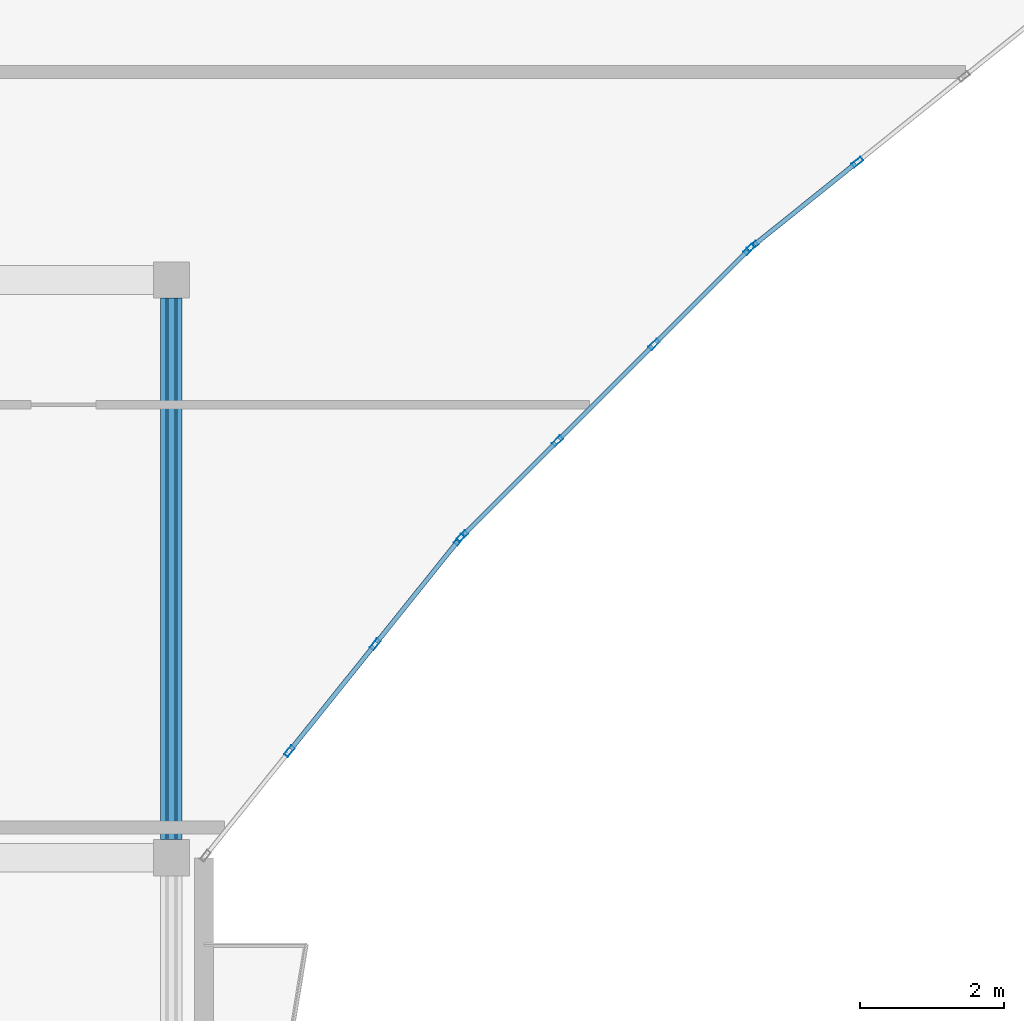
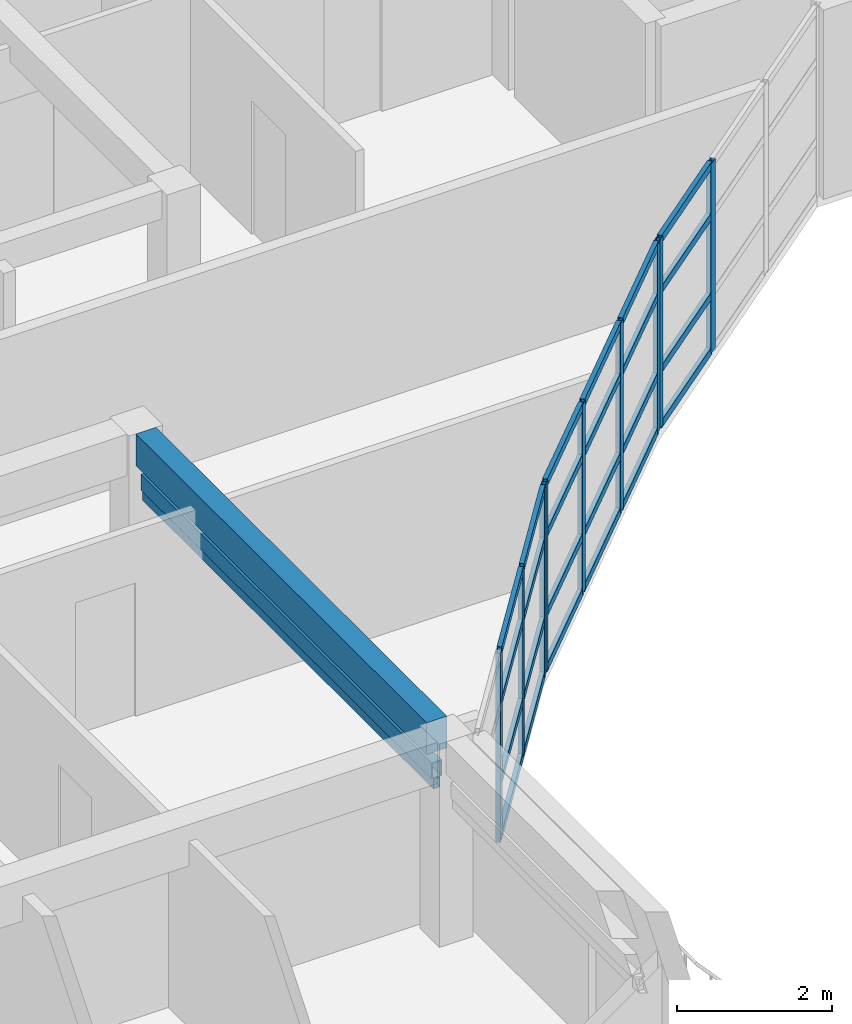
# One storey, part 9 of 39: 35 members, 1 beam, 3 elements without a shape of their own.
"""IFC4 building model written with IfcOpenShell, lengths in metres."""

from ifc_helpers import new_model, si_unit, direction, frame, origin, origin_2d, place, context, subcontext, project, spatial, rectangle, hollow_rectangle, extrude, material, layer, layer_set, material_profile, profile_set, type_object, element, aggregate, save


model = new_model("IFC4")

# Units and contexts
model_context = context("Model", 3, precision=1e-05, world=origin(), true_north=direction((0.0, 1.0)))
body_context = subcontext(model_context, "Body", "Model", "MODEL_VIEW")
ifc_project = project(units=[si_unit("LENGTHUNIT", "METRE"), si_unit("AREAUNIT", "SQUARE_METRE"), si_unit("VOLUMEUNIT", "CUBIC_METRE"), si_unit("PLANEANGLEUNIT", "RADIAN"), si_unit("MASSUNIT", "GRAM", prefix="KILO")], contexts=[model_context])

# Site, building, storey
site_placement = place(None, origin())
site = spatial("IfcSite", under=ifc_project, at=site_placement, CompositionType="ELEMENT")
building_placement = place(site_placement, origin())
building = spatial("IfcBuilding", under=site, at=building_placement, Name="Keldmere Railside Commons", CompositionType="ELEMENT")
storey_placement = place(building_placement, frame((0.0, 0.0, 32.9599609375)))
storey = spatial("IfcBuildingStorey", under=building, at=storey_placement, Name="L10", CompositionType="ELEMENT", Elevation=32.9599609375)

# Member
ifc_material_1 = material(Name="Steel F-36 (S355)", Category="steel")
ifc_material_profile_1 = material_profile(ifc_material_1, hollow_rectangle(XDim=0.14990234375, YDim=0.25, WallThickness=0.010009765625, at=origin_2d()), Name="RHS-250x150x10")
ifc_profile_set_1 = profile_set([ifc_material_profile_1], Name="Steel F-36 (S355)")
member_type_1 = type_object("IfcMemberType", Name="Balcony Continuous Planted Trough RHS250x150", PredefinedType="CHORD", material=ifc_profile_set_1)
member_1_placement = place(storey_placement, frame((119.550048828125, 88.25, 2.4150390625), z_axis=(0.0, 1.0, 0.0), x_axis=(-1.0, 0.0, 0.0)))
element("IfcMember", 1, at=member_1_placement, inside=storey, type_object=member_type_1, Name="PLT-1 MEM-BPLT-0993", PredefinedType="CHORD", context=body_context, shape_type="SweptSolid", body=[
    extrude(hollow_rectangle(XDim=0.14990234375, YDim=0.25, WallThickness=0.010009765625, at=origin_2d()), origin(), (0.0, 0.0, 1.0), 7.5),
])

# Beam
ifc_material_2 = material(Name="Concrete H-30 (C30/37)", Category="concrete")
ifc_material_profile_2 = material_profile(ifc_material_2, rectangle(XDim=0.300048828125, YDim=0.5, at=origin_2d()), Name="RC-300x500")
ifc_profile_set_2 = profile_set([ifc_material_profile_2], Name="Concrete H-30 (C30/37)")
beam_type = type_object("IfcBeamType", Name="Secondary Frame RC Beam 300x500", PredefinedType="BEAM", material=ifc_profile_set_2)
beam_placement = place(storey_placement, frame((119.550048828125, 88.25, 2.949951171875), z_axis=(0.0, 1.0, 0.0), x_axis=(-1.0, 0.0, 0.0)))
element("IfcBeam", 2, at=beam_placement, inside=storey, type_object=beam_type, Name="BG-5 BM-L10-2412", PredefinedType="BEAM", context=body_context, shape_type="SweptSolid", body=[
    extrude(rectangle(XDim=0.300048828125, YDim=0.5, at=origin_2d()), origin(), (0.0, 0.0, 1.0), 7.5),
])

# Member
ifc_material_profile_3 = material_profile(ifc_material_1, hollow_rectangle(XDim=0.10009765625, YDim=0.159912109375, WallThickness=0.008056640625, at=origin_2d()), Name="RHS-160x100x8")
ifc_profile_set_3 = profile_set([ifc_material_profile_3], Name="Steel F-36 (S355)")
member_type_2 = type_object("IfcMemberType", Name="Solar Brise-Soleil Louvre Fin RHS160x100", PredefinedType="STRUT", material=ifc_profile_set_3)
member_2_placement = place(storey_placement, frame((119.550048828125, 88.25, 2.199951171875), z_axis=(0.0, 1.0, 0.0), x_axis=(-1.0, 0.0, 0.0)))
element("IfcMember", 3, at=member_2_placement, inside=storey, type_object=member_type_2, Name="BSF-1 MEM-BSF-0994", PredefinedType="STRUT", context=body_context, shape_type="SweptSolid", body=[
    extrude(hollow_rectangle(XDim=0.10009765625, YDim=0.159912109375, WallThickness=0.008056640625, at=origin_2d()), origin(), (0.0, 0.0, 1.0), 7.5),
])

# Curtain wall, members
ifc_material_3 = material(Name="Thermally Broken Aluminium", Category="aluminium")
ifc_layer_1 = layer(ifc_material_3, 0.159912109375, Name="Court Chord Wintergarden CW 4800x2850")
ifc_layer_set_1 = layer_set([ifc_layer_1], Name="Thermally Broken Aluminium")
curtain_wall_type_1 = type_object("IfcCurtainWallType", Name="Court Chord Wintergarden CW 4800x2850", PredefinedType="NOTDEFINED", material=ifc_layer_set_1)
curtain_wall_1_placement = place(storey_placement, origin())
curtain_wall_1 = element("IfcCurtainWall", 4, at=curtain_wall_1_placement, inside=storey, type_object=curtain_wall_type_1, Name="CW-12 CW-L10-145", PredefinedType="NOTDEFINED")
ifc_material_profile_4 = material_profile(ifc_material_3, hollow_rectangle(XDim=0.06494140625, YDim=0.159912109375, WallThickness=0.00390625, at=origin_2d()), Name="ALU-MULL-65x160")
ifc_profile_set_4 = profile_set([ifc_material_profile_4], Name="Thermally Broken Aluminium")
member_type_3 = type_object("IfcMemberType", Name="Unitised Curtain Wall Mullion 65x160", PredefinedType="MULLION", material=ifc_profile_set_4)
member_3_placement = place(storey_placement, frame((123.53369140625, 92.404541015625, 0.0), z_axis=(0.0, 0.0, 1.0), x_axis=(0.780009172323, -0.625768080915, 0.0)))
member_3 = element("IfcMember", 5, at=member_3_placement, type_object=member_type_3, Name="CW-12 mullion 1", PredefinedType="MULLION", context=body_context, shape_type="SweptSolid", body=[
    extrude(hollow_rectangle(XDim=0.06494140625, YDim=0.159912109375, WallThickness=0.00390625, at=origin_2d()), origin(), (0.0, 0.0, 1.0), 2.97998046875),
])
member_4_placement = place(storey_placement, frame((122.369384765625, 90.953369140625, 0.0), z_axis=(0.0, 0.0, 1.0), x_axis=(0.780009172323, -0.625768080915, 0.0)))
member_4 = element("IfcMember", 6, at=member_4_placement, type_object=member_type_3, Name="CW-12 mullion 2", PredefinedType="MULLION", context=body_context, shape_type="SweptSolid", body=[
    extrude(hollow_rectangle(XDim=0.06494140625, YDim=0.159912109375, WallThickness=0.00390625, at=origin_2d()), origin(), (0.0, 0.0, 1.0), 2.97998046875),
])
member_5_placement = place(storey_placement, frame((121.1845703125, 89.4765625, 0.0), z_axis=(0.0, 0.0, 1.0), x_axis=(0.780009172323, -0.625768080915, 0.0)))
member_5 = element("IfcMember", 7, at=member_5_placement, type_object=member_type_3, Name="CW-12 mullion 3", PredefinedType="MULLION", context=body_context, shape_type="SweptSolid", body=[
    extrude(hollow_rectangle(XDim=0.06494140625, YDim=0.159912109375, WallThickness=0.00390625, at=origin_2d()), origin(), (0.0, 0.0, 1.0), 2.97998046875),
])

ifc_layer_2 = layer(ifc_material_3, 0.159912109375, Name="Court Chord Wintergarden CW 5400x2850")
ifc_layer_set_2 = layer_set([ifc_layer_2], Name="Thermally Broken Aluminium")
curtain_wall_type_2 = type_object("IfcCurtainWallType", Name="Court Chord Wintergarden CW 5400x2850", PredefinedType="NOTDEFINED", material=ifc_layer_set_2)
curtain_wall_2_placement = place(storey_placement, origin())
curtain_wall_2 = element("IfcCurtainWall", 8, at=curtain_wall_2_placement, inside=storey, type_object=curtain_wall_type_2, Name="CW-13 CW-L10-146", PredefinedType="NOTDEFINED")
member_6_placement = place(storey_placement, frame((127.547119140625, 96.423095703125, 0.0), z_axis=(0.0, 0.0, 1.0), x_axis=(0.707106781187, -0.707106781187, 0.0)))
member_6 = element("IfcMember", 9, at=member_6_placement, type_object=member_type_3, Name="CW-13 mullion 1", PredefinedType="MULLION", context=body_context, shape_type="SweptSolid", body=[
    extrude(hollow_rectangle(XDim=0.06494140625, YDim=0.159912109375, WallThickness=0.00390625, at=origin_2d()), origin(), (0.0, 0.0, 1.0), 2.97998046875),
])
member_7_placement = place(storey_placement, frame((126.2314453125, 95.107421875, 0.0), z_axis=(0.0, 0.0, 1.0), x_axis=(0.707106781187, -0.707106781187, 0.0)))
member_7 = element("IfcMember", 10, at=member_7_placement, type_object=member_type_3, Name="CW-13 mullion 2", PredefinedType="MULLION", context=body_context, shape_type="SweptSolid", body=[
    extrude(hollow_rectangle(XDim=0.06494140625, YDim=0.159912109375, WallThickness=0.00390625, at=origin_2d()), origin(), (0.0, 0.0, 1.0), 2.97998046875),
])
member_8_placement = place(storey_placement, frame((124.892578125, 93.7685546875, 0.0), z_axis=(0.0, 0.0, 1.0), x_axis=(0.707106781187, -0.707106781187, 0.0)))
member_8 = element("IfcMember", 11, at=member_8_placement, type_object=member_type_3, Name="CW-13 mullion 3", PredefinedType="MULLION", context=body_context, shape_type="SweptSolid", body=[
    extrude(hollow_rectangle(XDim=0.06494140625, YDim=0.159912109375, WallThickness=0.00390625, at=origin_2d()), origin(), (0.0, 0.0, 1.0), 2.97998046875),
])
member_9_placement = place(storey_placement, frame((123.576904296875, 92.452880859375, 0.0), z_axis=(0.0, 0.0, 1.0), x_axis=(0.707106781187, -0.707106781187, 0.0)))
member_9 = element("IfcMember", 12, at=member_9_placement, type_object=member_type_3, Name="CW-13 mullion 4", PredefinedType="MULLION", context=body_context, shape_type="SweptSolid", body=[
    extrude(hollow_rectangle(XDim=0.06494140625, YDim=0.159912109375, WallThickness=0.00390625, at=origin_2d()), origin(), (0.0, 0.0, 1.0), 2.97998046875),
])

curtain_wall_3_placement = place(storey_placement, origin())
curtain_wall_3 = element("IfcCurtainWall", 13, at=curtain_wall_3_placement, inside=storey, type_object=curtain_wall_type_1, Name="CW-12 CW-L10-147", PredefinedType="NOTDEFINED")
member_10_placement = place(storey_placement, frame((129.046630859375, 97.630615234375, 0.0), z_axis=(0.0, 0.0, 1.0), x_axis=(0.625768080915, -0.780009172323, 0.0)))
member_10 = element("IfcMember", 14, at=member_10_placement, type_object=member_type_3, Name="CW-12 mullion 3", PredefinedType="MULLION", context=body_context, shape_type="SweptSolid", body=[
    extrude(hollow_rectangle(XDim=0.06494140625, YDim=0.159912109375, WallThickness=0.00390625, at=origin_2d()), origin(), (0.0, 0.0, 1.0), 2.97998046875),
])
member_11_placement = place(storey_placement, frame((127.595458984375, 96.46630859375, 0.0), z_axis=(0.0, 0.0, 1.0), x_axis=(0.625768080915, -0.780009172323, 0.0)))
member_11 = element("IfcMember", 15, at=member_11_placement, type_object=member_type_3, Name="CW-12 mullion 4", PredefinedType="MULLION", context=body_context, shape_type="SweptSolid", body=[
    extrude(hollow_rectangle(XDim=0.06494140625, YDim=0.159912109375, WallThickness=0.00390625, at=origin_2d()), origin(), (0.0, 0.0, 1.0), 2.97998046875),
])

# Member
ifc_material_profile_5 = material_profile(ifc_material_3, hollow_rectangle(XDim=0.06494140625, YDim=0.1201171875, WallThickness=0.00390625, at=origin_2d()), Name="ALU-TRAN-65x120")
ifc_profile_set_5 = profile_set([ifc_material_profile_5], Name="Thermally Broken Aluminium")
member_type_4 = type_object("IfcMemberType", Name="Unitised Curtain Wall Transom 65x120", PredefinedType="USERDEFINED", material=ifc_profile_set_5)
member_12_placement = place(storey_placement, frame((123.513427734375, 92.37939453125, 0.032470703125), z_axis=(-0.625805275091, -0.779979331565, 0.0), x_axis=(0.779979331565, -0.625805275091, 0.0)))
member_12 = element("IfcMember", 16, at=member_12_placement, type_object=member_type_4, Name="CW-12 transom 1.1", ObjectType="TRANSOM", PredefinedType="USERDEFINED", context=body_context, shape_type="SweptSolid", body=[
    extrude(hollow_rectangle(XDim=0.06494140625, YDim=0.1201171875, WallThickness=0.00390625, at=origin_2d()), origin(), (0.0, 0.0, 1.0), 1.795654296875),
])

member_13_placement = place(storey_placement, frame((123.513427734375, 92.37939453125, 0.900146484375), z_axis=(-0.625805275091, -0.779979331565, 0.0), x_axis=(0.779979331565, -0.625805275091, 0.0)))
member_13 = element("IfcMember", 17, at=member_13_placement, type_object=member_type_4, Name="CW-12 transom 1.2", ObjectType="TRANSOM", PredefinedType="USERDEFINED", context=body_context, shape_type="SweptSolid", body=[
    extrude(hollow_rectangle(XDim=0.06494140625, YDim=0.1201171875, WallThickness=0.00390625, at=origin_2d()), origin(), (0.0, 0.0, 1.0), 1.795654296875),
])

member_14_placement = place(storey_placement, frame((123.513427734375, 92.37939453125, 2.150146484375), z_axis=(-0.625805275091, -0.779979331565, 0.0), x_axis=(0.779979331565, -0.625805275091, 0.0)))
member_14 = element("IfcMember", 18, at=member_14_placement, type_object=member_type_4, Name="CW-12 transom 1.3", ObjectType="TRANSOM", PredefinedType="USERDEFINED", context=body_context, shape_type="SweptSolid", body=[
    extrude(hollow_rectangle(XDim=0.06494140625, YDim=0.1201171875, WallThickness=0.00390625, at=origin_2d()), origin(), (0.0, 0.0, 1.0), 1.795654296875),
])

member_15_placement = place(storey_placement, frame((123.513427734375, 92.37939453125, 2.947509765625), z_axis=(-0.625805275091, -0.779979331565, 0.0), x_axis=(0.779979331565, -0.625805275091, 0.0)))
member_15 = element("IfcMember", 19, at=member_15_placement, type_object=member_type_4, Name="CW-12 transom 1.4", ObjectType="TRANSOM", PredefinedType="USERDEFINED", context=body_context, shape_type="SweptSolid", body=[
    extrude(hollow_rectangle(XDim=0.06494140625, YDim=0.1201171875, WallThickness=0.00390625, at=origin_2d()), origin(), (0.0, 0.0, 1.0), 1.795654296875),
])

member_16_placement = place(storey_placement, frame((122.348876953125, 90.927978515625, 0.032470703125), z_axis=(-0.625688033635, -0.78007338409, 0.0), x_axis=(0.78007338409, -0.625688033635, 0.0)))
member_16 = element("IfcMember", 20, at=member_16_placement, type_object=member_type_4, Name="CW-12 transom 2.1", ObjectType="TRANSOM", PredefinedType="USERDEFINED", context=body_context, shape_type="SweptSolid", body=[
    extrude(hollow_rectangle(XDim=0.06494140625, YDim=0.1201171875, WallThickness=0.00390625, at=origin_2d()), origin(), (0.0, 0.0, 1.0), 1.828125),
])

member_17_placement = place(storey_placement, frame((122.348876953125, 90.927978515625, 0.900146484375), z_axis=(-0.625688033635, -0.78007338409, 0.0), x_axis=(0.78007338409, -0.625688033635, 0.0)))
member_17 = element("IfcMember", 21, at=member_17_placement, type_object=member_type_4, Name="CW-12 transom 2.2", ObjectType="TRANSOM", PredefinedType="USERDEFINED", context=body_context, shape_type="SweptSolid", body=[
    extrude(hollow_rectangle(XDim=0.06494140625, YDim=0.1201171875, WallThickness=0.00390625, at=origin_2d()), origin(), (0.0, 0.0, 1.0), 1.828125),
])

member_18_placement = place(storey_placement, frame((122.348876953125, 90.927978515625, 2.150146484375), z_axis=(-0.625688033635, -0.78007338409, 0.0), x_axis=(0.78007338409, -0.625688033635, 0.0)))
member_18 = element("IfcMember", 22, at=member_18_placement, type_object=member_type_4, Name="CW-12 transom 2.3", ObjectType="TRANSOM", PredefinedType="USERDEFINED", context=body_context, shape_type="SweptSolid", body=[
    extrude(hollow_rectangle(XDim=0.06494140625, YDim=0.1201171875, WallThickness=0.00390625, at=origin_2d()), origin(), (0.0, 0.0, 1.0), 1.828125),
])

member_19_placement = place(storey_placement, frame((122.348876953125, 90.927978515625, 2.947509765625), z_axis=(-0.625688033635, -0.78007338409, 0.0), x_axis=(0.78007338409, -0.625688033635, 0.0)))
member_19 = element("IfcMember", 23, at=member_19_placement, type_object=member_type_4, Name="CW-12 transom 2.4", ObjectType="TRANSOM", PredefinedType="USERDEFINED", context=body_context, shape_type="SweptSolid", body=[
    extrude(hollow_rectangle(XDim=0.06494140625, YDim=0.1201171875, WallThickness=0.00390625, at=origin_2d()), origin(), (0.0, 0.0, 1.0), 1.828125),
])

aggregate(curtain_wall_1, [member_3, member_4, member_5, member_12, member_13, member_14, member_15, member_16, member_17, member_18, member_19])

member_20_placement = place(storey_placement, frame((127.52392578125, 96.400146484375, 0.032470703125), z_axis=(-0.707038793419, -0.707174762418, 0.0), x_axis=(0.707174762418, -0.707038793419, 0.0)))
member_20 = element("IfcMember", 24, at=member_20_placement, type_object=member_type_4, Name="CW-13 transom 1.1", ObjectType="TRANSOM", PredefinedType="USERDEFINED", context=body_context, shape_type="SweptSolid", body=[
    extrude(hollow_rectangle(XDim=0.06494140625, YDim=0.1201171875, WallThickness=0.00390625, at=origin_2d()), origin(), (0.0, 0.0, 1.0), 1.795654296875),
])

member_21_placement = place(storey_placement, frame((127.52392578125, 96.400146484375, 0.900146484375), z_axis=(-0.707038793419, -0.707174762418, 0.0), x_axis=(0.707174762418, -0.707038793419, 0.0)))
member_21 = element("IfcMember", 25, at=member_21_placement, type_object=member_type_4, Name="CW-13 transom 1.2", ObjectType="TRANSOM", PredefinedType="USERDEFINED", context=body_context, shape_type="SweptSolid", body=[
    extrude(hollow_rectangle(XDim=0.06494140625, YDim=0.1201171875, WallThickness=0.00390625, at=origin_2d()), origin(), (0.0, 0.0, 1.0), 1.795654296875),
])

member_22_placement = place(storey_placement, frame((127.52392578125, 96.400146484375, 2.150146484375), z_axis=(-0.707038793419, -0.707174762418, 0.0), x_axis=(0.707174762418, -0.707038793419, 0.0)))
member_22 = element("IfcMember", 26, at=member_22_placement, type_object=member_type_4, Name="CW-13 transom 1.3", ObjectType="TRANSOM", PredefinedType="USERDEFINED", context=body_context, shape_type="SweptSolid", body=[
    extrude(hollow_rectangle(XDim=0.06494140625, YDim=0.1201171875, WallThickness=0.00390625, at=origin_2d()), origin(), (0.0, 0.0, 1.0), 1.795654296875),
])

member_23_placement = place(storey_placement, frame((127.52392578125, 96.400146484375, 2.947509765625), z_axis=(-0.707038793419, -0.707174762418, 0.0), x_axis=(0.707174762418, -0.707038793419, 0.0)))
member_23 = element("IfcMember", 27, at=member_23_placement, type_object=member_type_4, Name="CW-13 transom 1.4", ObjectType="TRANSOM", PredefinedType="USERDEFINED", context=body_context, shape_type="SweptSolid", body=[
    extrude(hollow_rectangle(XDim=0.06494140625, YDim=0.1201171875, WallThickness=0.00390625, at=origin_2d()), origin(), (0.0, 0.0, 1.0), 1.795654296875),
])

member_24_placement = place(storey_placement, frame((126.208251953125, 95.08447265625, 0.032470703125), z_axis=(-0.707106781187, -0.707106781187, 0.0), x_axis=(0.707106781187, -0.707106781187, 0.0)))
member_24 = element("IfcMember", 28, at=member_24_placement, type_object=member_type_4, Name="CW-13 transom 2.1", ObjectType="TRANSOM", PredefinedType="USERDEFINED", context=body_context, shape_type="SweptSolid", body=[
    extrude(hollow_rectangle(XDim=0.06494140625, YDim=0.1201171875, WallThickness=0.00390625, at=origin_2d()), origin(), (0.0, 0.0, 1.0), 1.828125),
])

member_25_placement = place(storey_placement, frame((126.208251953125, 95.08447265625, 0.900146484375), z_axis=(-0.707106781187, -0.707106781187, 0.0), x_axis=(0.707106781187, -0.707106781187, 0.0)))
member_25 = element("IfcMember", 29, at=member_25_placement, type_object=member_type_4, Name="CW-13 transom 2.2", ObjectType="TRANSOM", PredefinedType="USERDEFINED", context=body_context, shape_type="SweptSolid", body=[
    extrude(hollow_rectangle(XDim=0.06494140625, YDim=0.1201171875, WallThickness=0.00390625, at=origin_2d()), origin(), (0.0, 0.0, 1.0), 1.828125),
])

member_26_placement = place(storey_placement, frame((126.208251953125, 95.08447265625, 2.150146484375), z_axis=(-0.707106781187, -0.707106781187, 0.0), x_axis=(0.707106781187, -0.707106781187, 0.0)))
member_26 = element("IfcMember", 30, at=member_26_placement, type_object=member_type_4, Name="CW-13 transom 2.3", ObjectType="TRANSOM", PredefinedType="USERDEFINED", context=body_context, shape_type="SweptSolid", body=[
    extrude(hollow_rectangle(XDim=0.06494140625, YDim=0.1201171875, WallThickness=0.00390625, at=origin_2d()), origin(), (0.0, 0.0, 1.0), 1.828125),
])

member_27_placement = place(storey_placement, frame((126.208251953125, 95.08447265625, 2.947509765625), z_axis=(-0.707106781187, -0.707106781187, 0.0), x_axis=(0.707106781187, -0.707106781187, 0.0)))
member_27 = element("IfcMember", 31, at=member_27_placement, type_object=member_type_4, Name="CW-13 transom 2.4", ObjectType="TRANSOM", PredefinedType="USERDEFINED", context=body_context, shape_type="SweptSolid", body=[
    extrude(hollow_rectangle(XDim=0.06494140625, YDim=0.1201171875, WallThickness=0.00390625, at=origin_2d()), origin(), (0.0, 0.0, 1.0), 1.828125),
])

member_28_placement = place(storey_placement, frame((124.86962890625, 93.74560546875, 0.032470703125), z_axis=(-0.707174762418, -0.707038793419, 0.0), x_axis=(0.707038793419, -0.707174762418, 0.0)))
member_28 = element("IfcMember", 32, at=member_28_placement, type_object=member_type_4, Name="CW-13 transom 3.1", ObjectType="TRANSOM", PredefinedType="USERDEFINED", context=body_context, shape_type="SweptSolid", body=[
    extrude(hollow_rectangle(XDim=0.06494140625, YDim=0.1201171875, WallThickness=0.00390625, at=origin_2d()), origin(), (0.0, 0.0, 1.0), 1.795654296875),
])

member_29_placement = place(storey_placement, frame((124.86962890625, 93.74560546875, 0.900146484375), z_axis=(-0.707174762418, -0.707038793419, 0.0), x_axis=(0.707038793419, -0.707174762418, 0.0)))
member_29 = element("IfcMember", 33, at=member_29_placement, type_object=member_type_4, Name="CW-13 transom 3.2", ObjectType="TRANSOM", PredefinedType="USERDEFINED", context=body_context, shape_type="SweptSolid", body=[
    extrude(hollow_rectangle(XDim=0.06494140625, YDim=0.1201171875, WallThickness=0.00390625, at=origin_2d()), origin(), (0.0, 0.0, 1.0), 1.795654296875),
])

member_30_placement = place(storey_placement, frame((124.86962890625, 93.74560546875, 2.150146484375), z_axis=(-0.707174762418, -0.707038793419, 0.0), x_axis=(0.707038793419, -0.707174762418, 0.0)))
member_30 = element("IfcMember", 34, at=member_30_placement, type_object=member_type_4, Name="CW-13 transom 3.3", ObjectType="TRANSOM", PredefinedType="USERDEFINED", context=body_context, shape_type="SweptSolid", body=[
    extrude(hollow_rectangle(XDim=0.06494140625, YDim=0.1201171875, WallThickness=0.00390625, at=origin_2d()), origin(), (0.0, 0.0, 1.0), 1.795654296875),
])

member_31_placement = place(storey_placement, frame((124.86962890625, 93.74560546875, 2.947509765625), z_axis=(-0.707174762418, -0.707038793419, 0.0), x_axis=(0.707038793419, -0.707174762418, 0.0)))
member_31 = element("IfcMember", 35, at=member_31_placement, type_object=member_type_4, Name="CW-13 transom 3.4", ObjectType="TRANSOM", PredefinedType="USERDEFINED", context=body_context, shape_type="SweptSolid", body=[
    extrude(hollow_rectangle(XDim=0.06494140625, YDim=0.1201171875, WallThickness=0.00390625, at=origin_2d()), origin(), (0.0, 0.0, 1.0), 1.795654296875),
])

aggregate(curtain_wall_2, [member_6, member_7, member_8, member_9, member_20, member_21, member_22, member_23, member_24, member_25, member_26, member_27, member_28, member_29, member_30, member_31])

member_32_placement = place(storey_placement, frame((129.021240234375, 97.6103515625, 0.032470703125), z_axis=(-0.779979331565, -0.625805275091, 0.0), x_axis=(0.625805275091, -0.779979331565, 0.0)))
member_32 = element("IfcMember", 36, at=member_32_placement, type_object=member_type_4, Name="CW-12 transom 3.1", ObjectType="TRANSOM", PredefinedType="USERDEFINED", context=body_context, shape_type="SweptSolid", body=[
    extrude(hollow_rectangle(XDim=0.06494140625, YDim=0.1201171875, WallThickness=0.00390625, at=origin_2d()), origin(), (0.0, 0.0, 1.0), 1.795654296875),
])

member_33_placement = place(storey_placement, frame((129.021240234375, 97.6103515625, 0.900146484375), z_axis=(-0.779979331565, -0.625805275091, 0.0), x_axis=(0.625805275091, -0.779979331565, 0.0)))
member_33 = element("IfcMember", 37, at=member_33_placement, type_object=member_type_4, Name="CW-12 transom 3.2", ObjectType="TRANSOM", PredefinedType="USERDEFINED", context=body_context, shape_type="SweptSolid", body=[
    extrude(hollow_rectangle(XDim=0.06494140625, YDim=0.1201171875, WallThickness=0.00390625, at=origin_2d()), origin(), (0.0, 0.0, 1.0), 1.795654296875),
])

member_34_placement = place(storey_placement, frame((129.021240234375, 97.6103515625, 2.150146484375), z_axis=(-0.779979331565, -0.625805275091, 0.0), x_axis=(0.625805275091, -0.779979331565, 0.0)))
member_34 = element("IfcMember", 38, at=member_34_placement, type_object=member_type_4, Name="CW-12 transom 3.3", ObjectType="TRANSOM", PredefinedType="USERDEFINED", context=body_context, shape_type="SweptSolid", body=[
    extrude(hollow_rectangle(XDim=0.06494140625, YDim=0.1201171875, WallThickness=0.00390625, at=origin_2d()), origin(), (0.0, 0.0, 1.0), 1.795654296875),
])

member_35_placement = place(storey_placement, frame((129.021240234375, 97.6103515625, 2.947509765625), z_axis=(-0.779979331565, -0.625805275091, 0.0), x_axis=(0.625805275091, -0.779979331565, 0.0)))
member_35 = element("IfcMember", 39, at=member_35_placement, type_object=member_type_4, Name="CW-12 transom 3.4", ObjectType="TRANSOM", PredefinedType="USERDEFINED", context=body_context, shape_type="SweptSolid", body=[
    extrude(hollow_rectangle(XDim=0.06494140625, YDim=0.1201171875, WallThickness=0.00390625, at=origin_2d()), origin(), (0.0, 0.0, 1.0), 1.795654296875),
])

aggregate(curtain_wall_3, [member_10, member_11, member_32, member_33, member_34, member_35])

save(model, "model.ifc")
